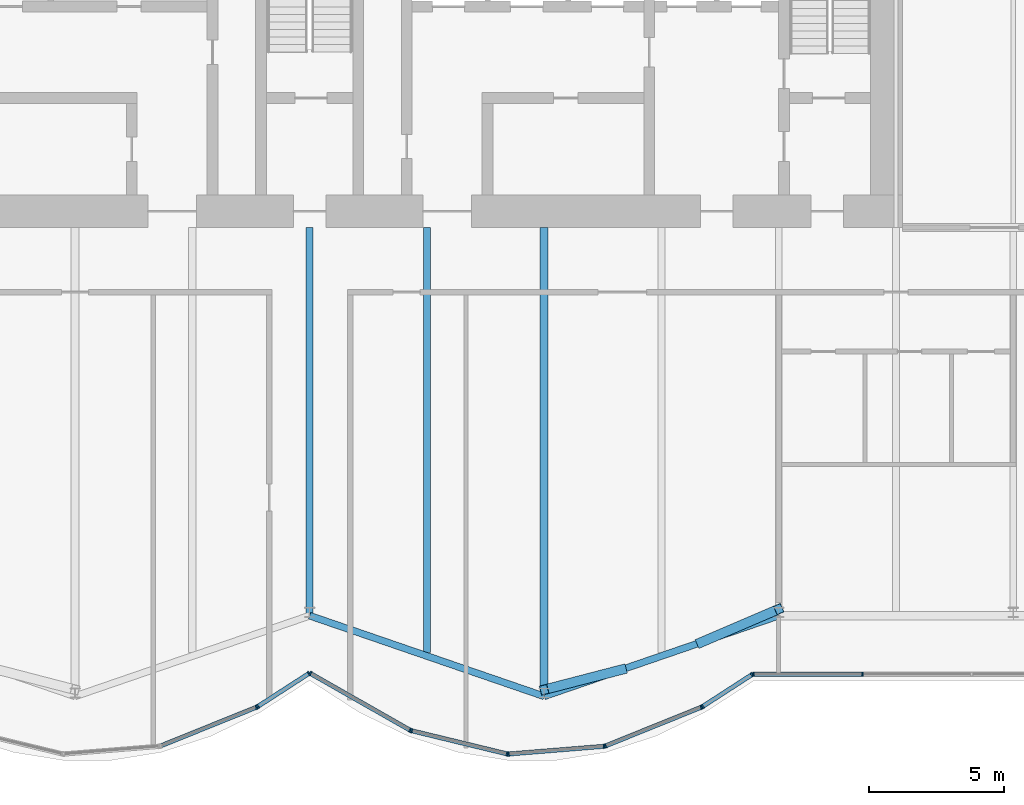
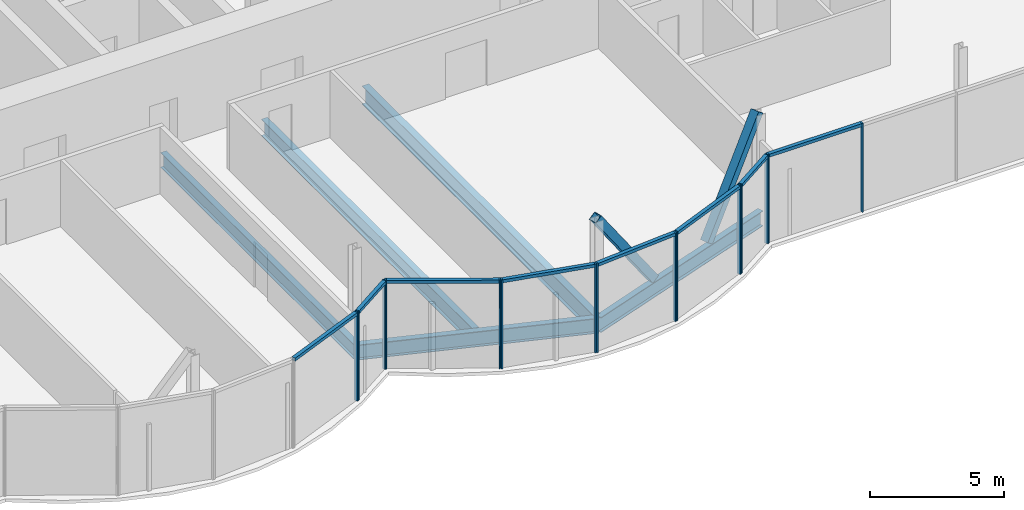
# One storey, part 8 of 20: 25 members, 5 beams, 3 elements without a shape of their own.
"""IFC4 building model written with IfcOpenShell, lengths in metres."""

from ifc_helpers import new_model, si_unit, direction, frame, origin, origin_2d, place, context, subcontext, project, spatial, rectangle, hollow_rectangle, i_section, extrude, material, material_profile, profile_set, type_object, element, aggregate, save


model = new_model("IFC4")

# Units and contexts
model_context = context("Model", 3, precision=1e-05, world=origin(), true_north=direction((0.0, 1.0)))
body_context = subcontext(model_context, "Body", "Model", "MODEL_VIEW")
ifc_project = project(units=[si_unit("LENGTHUNIT", "METRE"), si_unit("AREAUNIT", "SQUARE_METRE"), si_unit("VOLUMEUNIT", "CUBIC_METRE"), si_unit("PLANEANGLEUNIT", "RADIAN"), si_unit("MASSUNIT", "GRAM", prefix="KILO")], contexts=[model_context])

# Site, building, storey
site_placement = place(None, origin())
site = spatial("IfcSite", under=ifc_project, at=site_placement, CompositionType="ELEMENT")
building_placement = place(site_placement, origin())
building = spatial("IfcBuilding", under=site, at=building_placement, Name="Bicima Exchange Tower", CompositionType="ELEMENT")
storey_placement = place(building_placement, frame((0.0, 0.0, 249.800048828125)))
storey = spatial("IfcBuildingStorey", under=building, at=storey_placement, Name="L56", CompositionType="ELEMENT", Elevation=249.800048828125)

# Beams
ifc_material_1 = material(Name="Steel ASTM A992 Gr 50", Category="steel")
ifc_material_profile_1 = material_profile(ifc_material_1, i_section(OverallWidth=0.25390625, OverallDepth=0.67822265625, WebThickness=0.01171875, FlangeThickness=0.016357421875, at=origin_2d()))
ifc_profile_set_1 = profile_set([ifc_material_profile_1], Name="Steel ASTM A992 Gr 50")
beam_type_1 = type_object("IfcBeamType", Name="Floor beam W27x84", PredefinedType="JOIST", material=ifc_profile_set_1)
beam_1_placement = place(storey_placement, frame((0.0, -13.0, -0.4892578125), z_axis=(0.0, -1.0, 0.0), x_axis=(1.0, 0.0, 0.0)))
element("IfcBeam", 1, at=beam_1_placement, inside=storey, type_object=beam_type_1, Name="Floor beam", PredefinedType="JOIST", context=body_context, shape_type="SweptSolid", body=[
    extrude(i_section(OverallWidth=0.25390625, OverallDepth=0.67822265625, WebThickness=0.01171875, FlangeThickness=0.016357421875, at=origin_2d()), origin(), (0.0, 0.0, 1.0), 14.39990234375),
])
ifc_material_profile_2 = material_profile(ifc_material_1, i_section(OverallWidth=0.2666015625, OverallDepth=0.75439453125, WebThickness=0.01318359375, FlangeThickness=0.01708984375, at=origin_2d()))
ifc_profile_set_2 = profile_set([ifc_material_profile_2], Name="Steel ASTM A992 Gr 50")
beam_type_2 = type_object("IfcBeamType", Name="Floor beam W30x99", PredefinedType="JOIST", material=ifc_profile_set_2)
beam_2_placement = place(storey_placement, frame((4.35009765625, -13.0, -0.52734375), z_axis=(0.0, -1.0, 0.0), x_axis=(1.0, 0.0, 0.0)))
element("IfcBeam", 2, at=beam_2_placement, inside=storey, type_object=beam_type_2, Name="Floor beam", PredefinedType="JOIST", context=body_context, shape_type="SweptSolid", body=[
    extrude(i_section(OverallWidth=0.2666015625, OverallDepth=0.75439453125, WebThickness=0.01318359375, FlangeThickness=0.01708984375, at=origin_2d()), origin(), (0.0, 0.0, 1.0), 15.760009765625),
])
ifc_material_profile_3 = material_profile(ifc_material_1, i_section(OverallWidth=0.2919921875, OverallDepth=0.835693359375, WebThickness=0.013916015625, FlangeThickness=0.018798828125, at=origin_2d()))
ifc_profile_set_3 = profile_set([ifc_material_profile_3], Name="Steel ASTM A992 Gr 50")
beam_type_3 = type_object("IfcBeamType", Name="Floor beam W33x118", PredefinedType="JOIST", material=ifc_profile_set_3)
beam_3_placement = place(storey_placement, frame((8.699951171875, -13.0, -0.56787109375), z_axis=(0.0, -1.0, 0.0), x_axis=(1.0, 0.0, 0.0)))
element("IfcBeam", 3, at=beam_3_placement, inside=storey, type_object=beam_type_3, Name="Floor beam", PredefinedType="JOIST", context=body_context, shape_type="SweptSolid", body=[
    extrude(i_section(OverallWidth=0.2919921875, OverallDepth=0.835693359375, WebThickness=0.013916015625, FlangeThickness=0.018798828125, at=origin_2d()), origin(), (0.0, 0.0, 1.0), 17.25537109375),
])
ifc_material_profile_4 = material_profile(ifc_material_1, i_section(OverallWidth=0.256591796875, OverallDepth=0.693359375, WebThickness=0.014404296875, FlangeThickness=0.023681640625, at=origin_2d()))
ifc_profile_set_4 = profile_set([ifc_material_profile_4], Name="Steel ASTM A992 Gr 50")
beam_type_4 = type_object("IfcBeamType", Name="Front girder W27x114", PredefinedType="BEAM", material=ifc_profile_set_4)
for number, where, z_axis, x_axis, name in (
    (4, (0.0, -27.39990234375, -0.496826171875), (0.945666456746, -0.325138359143, 0.0), (0.325138359143, 0.945666456746, 0.0), "Front girder"),
    (5, (8.699951171875, -30.39111328125, -0.496826171875), (0.945666456746, 0.325138359143, 0.0), (-0.325138359143, 0.945666456746, 0.0), "Front girder"),
):
    element("IfcBeam", number, at=place(storey_placement, frame(where, z_axis=z_axis, x_axis=x_axis)), inside=storey, type_object=beam_type_4, Name=name, PredefinedType="BEAM", context=body_context, shape_type="SweptSolid", body=[
        extrude(i_section(OverallWidth=0.256591796875, OverallDepth=0.693359375, WebThickness=0.014404296875, FlangeThickness=0.023681640625, at=origin_2d()), origin(), (0.0, 0.0, 1.0), 9.19970703125),
    ])

# Curtain wall, members
ifc_material_2 = material(Name="Anodised bronze aluminium", Category="aluminium")
curtain_wall_type = type_object("IfcCurtainWallType", Name="Front glass wall", PredefinedType="NOTDEFINED", material=ifc_material_2)
curtain_wall_1_placement = place(storey_placement, origin())
curtain_wall_1 = element("IfcCurtainWall", 6, at=curtain_wall_1_placement, inside=storey, type_object=curtain_wall_type, Name="Front glass wall L56 run 6", PredefinedType="NOTDEFINED")
ifc_material_profile_5 = material_profile(ifc_material_2, rectangle(XDim=0.159912109375, YDim=0.06005859375, at=origin_2d()))
ifc_profile_set_5 = profile_set([ifc_material_profile_5], Name="Anodised bronze aluminium")
member_type_1 = type_object("IfcMemberType", Name="Front glass wall mullion 60 x 160", PredefinedType="MULLION", material=ifc_profile_set_5)
member_1_placement = place(storey_placement, frame((-1.97412109375, -30.795654296875, 0.0), z_axis=(0.0, 0.0, 1.0), x_axis=(-0.374705304, 0.92714396679, 0.0)))
member_1 = element("IfcMember", 7, at=member_1_placement, type_object=member_type_1, Name="Front glass wall mullion 2", PredefinedType="MULLION", context=body_context, shape_type="SweptSolid", body=[
    extrude(rectangle(XDim=0.159912109375, YDim=0.06005859375, at=origin_2d()), origin(), (0.0, 0.0, 1.0), 4.050048828125),
])
member_2_placement = place(storey_placement, frame((-1.921142578125, -30.76806640625, 0.0), z_axis=(0.0, 0.0, 1.0), x_axis=(-0.542897457326, 0.839798994301, 0.0)))
member_2 = element("IfcMember", 8, at=member_2_placement, type_object=member_type_1, Name="Front glass wall mullion 1", PredefinedType="MULLION", context=body_context, shape_type="SweptSolid", body=[
    extrude(rectangle(XDim=0.159912109375, YDim=0.06005859375, at=origin_2d()), origin(), (0.0, 0.0, 1.0), 4.050048828125),
])
member_3_placement = place(storey_placement, frame((-0.025146484375, -29.54248046875, 0.0), z_axis=(0.0, 0.0, 1.0), x_axis=(-0.542897457326, 0.839798994301, 0.0)))
member_3 = element("IfcMember", 9, at=member_3_placement, type_object=member_type_1, Name="Front glass wall mullion 2", PredefinedType="MULLION", context=body_context, shape_type="SweptSolid", body=[
    extrude(rectangle(XDim=0.159912109375, YDim=0.06005859375, at=origin_2d()), origin(), (0.0, 0.0, 1.0), 4.050048828125),
])

curtain_wall_2_placement = place(storey_placement, origin())
curtain_wall_2 = element("IfcCurtainWall", 10, at=curtain_wall_2_placement, inside=storey, type_object=curtain_wall_type, Name="Front glass wall L56 run 11", PredefinedType="NOTDEFINED")
member_4_placement = place(storey_placement, frame((0.026123046875, -29.541015625, 0.0), z_axis=(0.0, 0.0, 1.0), x_axis=(0.494330311331, 0.869274147378, 0.0)))
member_4 = element("IfcMember", 11, at=member_4_placement, type_object=member_type_1, Name="Front glass wall mullion 1", PredefinedType="MULLION", context=body_context, shape_type="SweptSolid", body=[
    extrude(rectangle(XDim=0.159912109375, YDim=0.06005859375, at=origin_2d()), origin(), (0.0, 0.0, 1.0), 4.050048828125),
])
member_5_placement = place(storey_placement, frame((3.7265625, -31.6455078125, 0.0), z_axis=(0.0, 0.0, 1.0), x_axis=(0.494330311331, 0.869274147378, 0.0)))
member_5 = element("IfcMember", 12, at=member_5_placement, type_object=member_type_1, Name="Front glass wall mullion 2", PredefinedType="MULLION", context=body_context, shape_type="SweptSolid", body=[
    extrude(rectangle(XDim=0.159912109375, YDim=0.06005859375, at=origin_2d()), origin(), (0.0, 0.0, 1.0), 4.050048828125),
])
member_6_placement = place(storey_placement, frame((3.781982421875, -31.667236328125, 0.0), z_axis=(0.0, 0.0, 1.0), x_axis=(0.235681529503, 0.971830343553, 0.0)))
member_6 = element("IfcMember", 13, at=member_6_placement, type_object=member_type_1, Name="Front glass wall mullion 1", PredefinedType="MULLION", context=body_context, shape_type="SweptSolid", body=[
    extrude(rectangle(XDim=0.159912109375, YDim=0.06005859375, at=origin_2d()), origin(), (0.0, 0.0, 1.0), 4.050048828125),
])
member_7_placement = place(storey_placement, frame((7.322509765625, -32.52587890625, 0.0), z_axis=(0.0, 0.0, 1.0), x_axis=(0.235681529503, 0.971830343553, 0.0)))
member_7 = element("IfcMember", 14, at=member_7_placement, type_object=member_type_1, Name="Front glass wall mullion 2", PredefinedType="MULLION", context=body_context, shape_type="SweptSolid", body=[
    extrude(rectangle(XDim=0.159912109375, YDim=0.06005859375, at=origin_2d()), origin(), (0.0, 0.0, 1.0), 4.050048828125),
])
member_8_placement = place(storey_placement, frame((7.381591796875, -32.530517578125, 0.0), z_axis=(0.0, 0.0, 1.0), x_axis=(-0.080588612633, 0.99674744821, 0.0)))
member_8 = element("IfcMember", 15, at=member_8_placement, type_object=member_type_1, Name="Front glass wall mullion 1", PredefinedType="MULLION", context=body_context, shape_type="SweptSolid", body=[
    extrude(rectangle(XDim=0.159912109375, YDim=0.06005859375, at=origin_2d()), origin(), (0.0, 0.0, 1.0), 4.050048828125),
])
member_9_placement = place(storey_placement, frame((10.916015625, -32.244873046875, 0.0), z_axis=(0.0, 0.0, 1.0), x_axis=(-0.080588612633, 0.99674744821, 0.0)))
member_9 = element("IfcMember", 16, at=member_9_placement, type_object=member_type_1, Name="Front glass wall mullion 2", PredefinedType="MULLION", context=body_context, shape_type="SweptSolid", body=[
    extrude(rectangle(XDim=0.159912109375, YDim=0.06005859375, at=origin_2d()), origin(), (0.0, 0.0, 1.0), 4.050048828125),
])
member_10_placement = place(storey_placement, frame((10.973876953125, -32.231201171875, 0.0), z_axis=(0.0, 0.0, 1.0), x_axis=(-0.374705304, 0.92714396679, 0.0)))
member_10 = element("IfcMember", 17, at=member_10_placement, type_object=member_type_1, Name="Front glass wall mullion 1", PredefinedType="MULLION", context=body_context, shape_type="SweptSolid", body=[
    extrude(rectangle(XDim=0.159912109375, YDim=0.06005859375, at=origin_2d()), origin(), (0.0, 0.0, 1.0), 4.050048828125),
])
member_11_placement = place(storey_placement, frame((14.52587890625, -30.795654296875, 0.0), z_axis=(0.0, 0.0, 1.0), x_axis=(-0.374705304, 0.92714396679, 0.0)))
member_11 = element("IfcMember", 18, at=member_11_placement, type_object=member_type_1, Name="Front glass wall mullion 2", PredefinedType="MULLION", context=body_context, shape_type="SweptSolid", body=[
    extrude(rectangle(XDim=0.159912109375, YDim=0.06005859375, at=origin_2d()), origin(), (0.0, 0.0, 1.0), 4.050048828125),
])
member_12_placement = place(storey_placement, frame((14.578857421875, -30.76806640625, 0.0), z_axis=(0.0, 0.0, 1.0), x_axis=(-0.542909183079, 0.839791413941, 0.0)))
member_12 = element("IfcMember", 19, at=member_12_placement, type_object=member_type_1, Name="Front glass wall mullion 1", PredefinedType="MULLION", context=body_context, shape_type="SweptSolid", body=[
    extrude(rectangle(XDim=0.159912109375, YDim=0.06005859375, at=origin_2d()), origin(), (0.0, 0.0, 1.0), 4.050048828125),
])
member_13_placement = place(storey_placement, frame((16.406982421875, -29.586181640625, 0.0), z_axis=(0.0, 0.0, 1.0), x_axis=(-0.542909183079, 0.839791413941, 0.0)))
member_13 = element("IfcMember", 20, at=member_13_placement, type_object=member_type_1, Name="Front glass wall mullion 2", PredefinedType="MULLION", context=body_context, shape_type="SweptSolid", body=[
    extrude(rectangle(XDim=0.159912109375, YDim=0.06005859375, at=origin_2d()), origin(), (0.0, 0.0, 1.0), 4.050048828125),
])

curtain_wall_3_placement = place(storey_placement, origin())
curtain_wall_3 = element("IfcCurtainWall", 21, at=curtain_wall_3_placement, inside=storey, type_object=curtain_wall_type, Name="Front glass wall L56 run 16", PredefinedType="NOTDEFINED")
member_14_placement = place(storey_placement, frame((16.462158203125, -29.570068359375, 0.0), z_axis=(0.0, 0.0, 1.0), x_axis=(0.0, 1.0, 0.0)))
member_14 = element("IfcMember", 22, at=member_14_placement, type_object=member_type_1, Name="Front glass wall mullion 1", PredefinedType="MULLION", context=body_context, shape_type="SweptSolid", body=[
    extrude(rectangle(XDim=0.159912109375, YDim=0.06005859375, at=origin_2d()), origin(), (0.0, 0.0, 1.0), 4.050048828125),
])
member_15_placement = place(storey_placement, frame((20.51171875, -29.570068359375, 0.0), z_axis=(0.0, 0.0, 1.0), x_axis=(0.0, 1.0, 0.0)))
member_15 = element("IfcMember", 23, at=member_15_placement, type_object=member_type_1, Name="Front glass wall mullion 2", PredefinedType="MULLION", context=body_context, shape_type="SweptSolid", body=[
    extrude(rectangle(XDim=0.159912109375, YDim=0.06005859375, at=origin_2d()), origin(), (0.0, 0.0, 1.0), 4.050048828125),
])

# Member
ifc_material_profile_6 = material_profile(ifc_material_2, rectangle(XDim=0.159912109375, YDim=0.139892578125, at=origin_2d()))
ifc_profile_set_6 = profile_set([ifc_material_profile_6], Name="Anodised bronze aluminium")
member_type_2 = type_object("IfcMemberType", Name="Front glass wall transom 140 x 160", PredefinedType="USERDEFINED", material=ifc_profile_set_6)
member_16_placement = place(storey_placement, frame((-5.498291015625, -32.219970703125, 3.97998046875), z_axis=(0.927140215882, 0.374714584842, 0.0), x_axis=(-0.374714584842, 0.927140215882, 0.0)))
member_16 = element("IfcMember", 24, at=member_16_placement, type_object=member_type_2, Name="Front glass wall transom 1.1", ObjectType="TRANSOM", PredefinedType="USERDEFINED", context=body_context, shape_type="SweptSolid", body=[
    extrude(rectangle(XDim=0.159912109375, YDim=0.139892578125, at=origin_2d()), origin(), (0.0, 0.0, 1.0), 3.77099609375),
])

member_17_placement = place(storey_placement, frame((-1.89599609375, -30.751708984375, 3.97998046875), z_axis=(0.839811483481, 0.542878137536, 0.0), x_axis=(-0.542878137536, 0.839811483481, 0.0)))
member_17 = element("IfcMember", 25, at=member_17_placement, type_object=member_type_2, Name="Front glass wall transom 1.1", ObjectType="TRANSOM", PredefinedType="USERDEFINED", context=body_context, shape_type="SweptSolid", body=[
    extrude(rectangle(XDim=0.159912109375, YDim=0.139892578125, at=origin_2d()), origin(), (0.0, 0.0, 1.0), 2.19775390625),
])

aggregate(curtain_wall_1, [member_1, member_16, member_2, member_3, member_17])

member_18_placement = place(storey_placement, frame((0.05224609375, -29.555908203125, 3.97998046875), z_axis=(0.869265121745, -0.494346182466, 0.0), x_axis=(0.494346182466, 0.869265121745, 0.0)))
member_18 = element("IfcMember", 26, at=member_18_placement, type_object=member_type_2, Name="Front glass wall transom 1.1", ObjectType="TRANSOM", PredefinedType="USERDEFINED", context=body_context, shape_type="SweptSolid", body=[
    extrude(rectangle(XDim=0.159912109375, YDim=0.139892578125, at=origin_2d()), origin(), (0.0, 0.0, 1.0), 4.19677734375),
])

member_19_placement = place(storey_placement, frame((3.81103515625, -31.67431640625, 3.97998046875), z_axis=(0.971833557815, -0.235668275132, 0.0), x_axis=(0.235668275132, 0.971833557815, 0.0)))
member_19 = element("IfcMember", 27, at=member_19_placement, type_object=member_type_2, Name="Front glass wall transom 1.1", ObjectType="TRANSOM", PredefinedType="USERDEFINED", context=body_context, shape_type="SweptSolid", body=[
    extrude(rectangle(XDim=0.159912109375, YDim=0.139892578125, at=origin_2d()), origin(), (0.0, 0.0, 1.0), 3.583251953125),
])

member_20_placement = place(storey_placement, frame((7.41162109375, -32.5283203125, 3.97998046875), z_axis=(0.9967456465, 0.080610893699, 0.0), x_axis=(-0.080610893699, 0.9967456465, 0.0)))
member_20 = element("IfcMember", 28, at=member_20_placement, type_object=member_type_2, Name="Front glass wall transom 1.1", ObjectType="TRANSOM", PredefinedType="USERDEFINED", context=body_context, shape_type="SweptSolid", body=[
    extrude(rectangle(XDim=0.159912109375, YDim=0.139892578125, at=origin_2d()), origin(), (0.0, 0.0, 1.0), 3.48583984375),
])

member_21_placement = place(storey_placement, frame((11.001708984375, -32.219970703125, 3.97998046875), z_axis=(0.927140215882, 0.374714584842, 0.0), x_axis=(-0.374714584842, 0.927140215882, 0.0)))
member_21 = element("IfcMember", 29, at=member_21_placement, type_object=member_type_2, Name="Front glass wall transom 1.1", ObjectType="TRANSOM", PredefinedType="USERDEFINED", context=body_context, shape_type="SweptSolid", body=[
    extrude(rectangle(XDim=0.159912109375, YDim=0.139892578125, at=origin_2d()), origin(), (0.0, 0.0, 1.0), 3.77099609375),
])

member_22_placement = place(storey_placement, frame((14.60400390625, -30.751708984375, 3.97998046875), z_axis=(0.839792890287, 0.542906899407, 0.0), x_axis=(-0.542906899407, 0.839792890287, 0.0)))
member_22 = element("IfcMember", 30, at=member_22_placement, type_object=member_type_2, Name="Front glass wall transom 1.1", ObjectType="TRANSOM", PredefinedType="USERDEFINED", context=body_context, shape_type="SweptSolid", body=[
    extrude(rectangle(XDim=0.159912109375, YDim=0.139892578125, at=origin_2d()), origin(), (0.0, 0.0, 1.0), 2.11669921875),
])

aggregate(curtain_wall_2, [member_4, member_5, member_18, member_6, member_7, member_19, member_8, member_9, member_20, member_10, member_11, member_21, member_12, member_13, member_22])

member_23_placement = place(storey_placement, frame((16.4921875, -29.570068359375, 3.97998046875), z_axis=(1.0, 0.0, 0.0), x_axis=(0.0, 1.0, 0.0)))
member_23 = element("IfcMember", 31, at=member_23_placement, type_object=member_type_2, Name="Front glass wall transom 1.1", ObjectType="TRANSOM", PredefinedType="USERDEFINED", context=body_context, shape_type="SweptSolid", body=[
    extrude(rectangle(XDim=0.159912109375, YDim=0.139892578125, at=origin_2d()), origin(), (0.0, 0.0, 1.0), 3.989501953125),
])

aggregate(curtain_wall_3, [member_14, member_15, member_23])

# Members
ifc_material_3 = material(Name="Steel ASTM A572 Gr 50", Category="steel")
ifc_material_profile_7 = material_profile(ifc_material_3, hollow_rectangle(XDim=0.355712890625, YDim=0.355712890625, WallThickness=0.0146484375, at=origin_2d()))
ifc_profile_set_7 = profile_set([ifc_material_profile_7], Name="Steel ASTM A572 Gr 50")
member_type_3 = type_object("IfcMemberType", Name="Mega brace HSS14x14x5/8", PredefinedType="BRACE", material=ifc_profile_set_7)
member_24_placement = place(storey_placement, frame((14.5, -28.39697265625, 0.0), z_axis=(0.552096787245, 0.236260984136, 0.799606081073), x_axis=(-0.393424148395, 0.919357079409, 0.0)))
element("IfcMember", 32, at=member_24_placement, inside=storey, type_object=member_type_3, Name="Mega brace front", PredefinedType="BRACE", context=body_context, shape_type="SweptSolid", body=[
    extrude(hollow_rectangle(XDim=0.355712890625, YDim=0.355712890625, WallThickness=0.0146484375, at=origin_2d()), origin(), (0.0, 0.0, 1.0), 5.25244140625),
])
member_25_placement = place(storey_placement, frame((11.60009765625, -29.39404296875, 0.0), z_axis=(-0.562127183359, -0.145985551028, 0.814064646462), x_axis=(0.251363668904, -0.967892714073, 0.0)))
element("IfcMember", 33, at=member_25_placement, inside=storey, type_object=member_type_3, Name="Mega brace front", PredefinedType="BRACE", context=body_context, shape_type="SweptSolid", body=[
    extrude(hollow_rectangle(XDim=0.355712890625, YDim=0.355712890625, WallThickness=0.0146484375, at=origin_2d()), origin(), (0.0, 0.0, 1.0), 5.1591796875),
])

save(model, "model.ifc")
